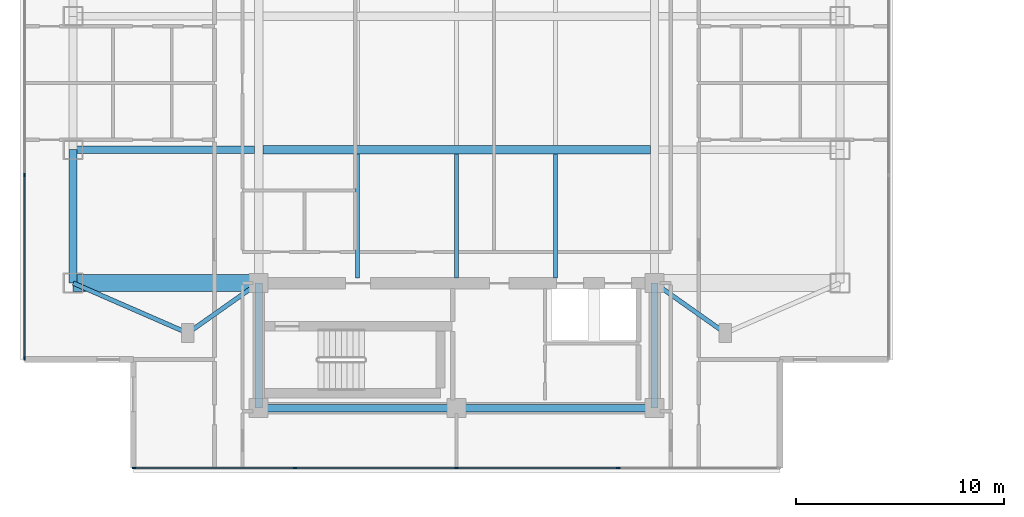
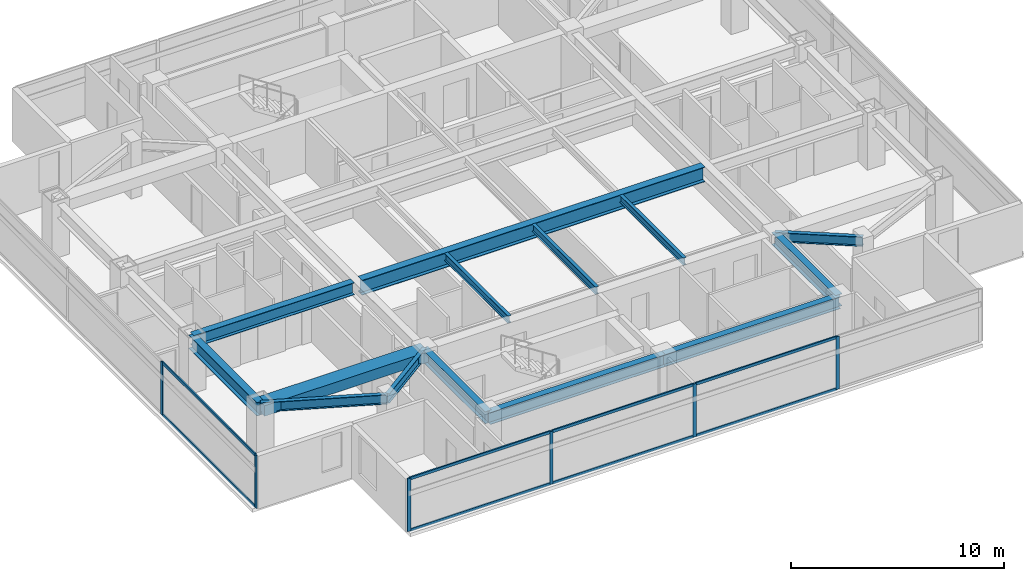
# One storey, part 2 of 24: 14 beams, 14 members, 2 elements without a shape of their own.
"""IFC4 building model written with IfcOpenShell, lengths in metres."""

from ifc_helpers import new_model, si_unit, direction, frame, origin, origin_2d, place, context, subcontext, project, spatial, rectangle, i_section, extrude, material, material_profile, profile_set, type_object, element, aggregate, save


model = new_model("IFC4")

# Units and contexts
model_context = context("Model", 3, precision=1e-05, world=origin(), true_north=direction((0.0, 1.0)))
body_context = subcontext(model_context, "Body", "Model", "MODEL_VIEW")
ifc_project = project(units=[si_unit("LENGTHUNIT", "METRE"), si_unit("AREAUNIT", "SQUARE_METRE"), si_unit("VOLUMEUNIT", "CUBIC_METRE"), si_unit("PLANEANGLEUNIT", "RADIAN"), si_unit("MASSUNIT", "GRAM", prefix="KILO")], contexts=[model_context])

# Site, building, storey
site_placement = place(None, origin())
site = spatial("IfcSite", under=ifc_project, at=site_placement, CompositionType="ELEMENT")
building_placement = place(site_placement, origin())
building = spatial("IfcBuilding", under=site, at=building_placement, Name="Mirazonda Arch Towers", CompositionType="ELEMENT")
storey_placement = place(building_placement, frame((0.0, 0.0, 199.89990234375)))
storey = spatial("IfcBuildingStorey", under=building, at=storey_placement, Name="L57", CompositionType="ELEMENT", Elevation=199.89990234375)

# Beams
ifc_material_1 = material(Name="Steel ASTM A992 Grade 50", Category="steel")
ifc_material_profile_1 = material_profile(ifc_material_1, i_section(OverallWidth=0.381103515625, OverallDepth=0.77294921875, WebThickness=0.0166015625, FlangeThickness=0.027099609375, at=origin_2d()), Name="W30X173")
ifc_profile_set_1 = profile_set([ifc_material_profile_1], Name="Steel ASTM A992 Grade 50")
beam_type_1 = type_object("IfcBeamType", Name="BM-EXT-W30X173", PredefinedType="USERDEFINED", material=ifc_profile_set_1)
beam_1_placement = place(storey_placement, frame((2.10009765625, 18.39990234375, 2.66357421875), z_axis=(0.0, 1.0, 0.0), x_axis=(-1.0, 0.0, 0.0)))
element("IfcBeam", 1, at=beam_1_placement, inside=storey, type_object=beam_type_1, Name="L57 Floor Beam BM-T1-L57-NS-W-18", ObjectType="GIRDER", PredefinedType="USERDEFINED", context=body_context, shape_type="SweptSolid", body=[
    extrude(i_section(OverallWidth=0.381103515625, OverallDepth=0.77294921875, WebThickness=0.0166015625, FlangeThickness=0.027099609375, at=origin_2d()), origin(), (0.0, 0.0, 1.0), 6.400146484375),
])
ifc_material_profile_2 = material_profile(ifc_material_1, i_section(OverallWidth=0.180908203125, OverallDepth=0.4169921875, WebThickness=0.010986328125, FlangeThickness=0.018310546875, at=origin_2d()), Name="W16X57")
ifc_profile_set_2 = profile_set([ifc_material_profile_2], Name="Steel ASTM A992 Grade 50")
beam_type_2 = type_object("IfcBeamType", Name="BM-INT-W16X57", PredefinedType="JOIST", material=ifc_profile_set_2)
for number, where, z_axis, x_axis, name in (
    (2, (15.75, 18.639892578125, 2.841552734375), (0.0, 1.0, 0.0), (-1.0, 0.0, 0.0), "L57 Floor Beam BM-T1-L57-J-157-18"),
    (3, (20.5, 18.639892578125, 2.841552734375), (0.0, 1.0, 0.0), (-1.0, 0.0, 0.0), "L57 Floor Beam BM-T1-L57-J-205-18"),
    (4, (25.25, 18.639892578125, 2.841552734375), (0.0, 1.0, 0.0), (-1.0, 0.0, 0.0), "L57 Floor Beam BM-T1-L57-J-252-18"),
):
    element("IfcBeam", number, at=place(storey_placement, frame(where, z_axis=z_axis, x_axis=x_axis)), inside=storey, type_object=beam_type_2, Name=name, PredefinedType="JOIST", context=body_context, shape_type="SweptSolid", body=[
        extrude(i_section(OverallWidth=0.180908203125, OverallDepth=0.4169921875, WebThickness=0.010986328125, FlangeThickness=0.018310546875, at=origin_2d()), origin(), (0.0, 0.0, 1.0), 5.964111328125),
    ])
ifc_material_profile_3 = material_profile(ifc_material_1, i_section(OverallWidth=0.214111328125, OverallDepth=0.549072265625, WebThickness=0.0146484375, FlangeThickness=0.023681640625, at=origin_2d()), Name="W21X93")
ifc_profile_set_3 = profile_set([ifc_material_profile_3], Name="Steel ASTM A992 Grade 50")
beam_type_3 = type_object("IfcBeamType", Name="BM-INT-W21X93", PredefinedType="BEAM", material=ifc_profile_set_3)
beam_2_placement = place(storey_placement, frame((7.60009765625, 16.0, 2.775634765625), z_axis=(0.816971114901, 0.576678591087, 0.0), x_axis=(-0.576678591087, 0.816971114901, 0.0)))
element("IfcBeam", 5, at=beam_2_placement, inside=storey, type_object=beam_type_3, Name="L57 Floor Beam BM-T1-L57-PL-SW1", PredefinedType="BEAM", context=body_context, shape_type="SweptSolid", body=[
    extrude(i_section(OverallWidth=0.214111328125, OverallDepth=0.549072265625, WebThickness=0.0146484375, FlangeThickness=0.023681640625, at=origin_2d()), origin(), (0.0, 0.0, 1.0), 4.16162109375),
])
beam_3_placement = place(storey_placement, frame((7.60009765625, 16.0, 2.775634765625), z_axis=(-0.916545343703, 0.399930785183, 0.0), x_axis=(-0.399930785183, -0.916545343703, 0.0)))
element("IfcBeam", 6, at=beam_3_placement, inside=storey, type_object=beam_type_3, Name="L57 Floor Beam BM-T1-L57-PL-SW2", PredefinedType="BEAM", context=body_context, shape_type="SweptSolid", body=[
    extrude(i_section(OverallWidth=0.214111328125, OverallDepth=0.549072265625, WebThickness=0.0146484375, FlangeThickness=0.023681640625, at=origin_2d()), origin(), (0.0, 0.0, 1.0), 6.000732421875),
])
beam_4_placement = place(storey_placement, frame((33.39990234375, 16.0, 2.775634765625), z_axis=(-0.816971114901, 0.576678591087, 0.0), x_axis=(-0.576678591087, -0.816971114901, 0.0)))
element("IfcBeam", 7, at=beam_4_placement, inside=storey, type_object=beam_type_3, Name="L57 Floor Beam BM-T1-L57-PL-SE1", PredefinedType="BEAM", context=body_context, shape_type="SweptSolid", body=[
    extrude(i_section(OverallWidth=0.214111328125, OverallDepth=0.549072265625, WebThickness=0.0146484375, FlangeThickness=0.023681640625, at=origin_2d()), origin(), (0.0, 0.0, 1.0), 4.16162109375),
])
ifc_material_profile_4 = material_profile(ifc_material_1, i_section(OverallWidth=0.35498046875, OverallDepth=0.696044921875, WebThickness=0.015380859375, FlangeThickness=0.02490234375, at=origin_2d()), Name="W27X146")
ifc_profile_set_4 = profile_set([ifc_material_profile_4], Name="Steel ASTM A992 Grade 50")
beam_type_4 = type_object("IfcBeamType", Name="BM-INT-W27X146", PredefinedType="BEAM", material=ifc_profile_set_4)
beam_5_placement = place(storey_placement, frame((2.10009765625, 24.800048828125, 2.7021484375), z_axis=(1.0, 0.0, 0.0), x_axis=(0.0, 1.0, 0.0)))
element("IfcBeam", 8, at=beam_5_placement, inside=storey, type_object=beam_type_4, Name="L57 Floor Beam BM-T1-L57-GW2", PredefinedType="BEAM", context=body_context, shape_type="SweptSolid", body=[
    extrude(i_section(OverallWidth=0.35498046875, OverallDepth=0.696044921875, WebThickness=0.015380859375, FlangeThickness=0.02490234375, at=origin_2d()), origin(), (0.0, 0.0, 1.0), 8.699951171875),
])
for number, where, z_axis, x_axis, name in (
    (9, (11.0, 12.39990234375, 2.7021484375), (1.0, 0.0, 0.0), (0.0, 1.0, 0.0), "L57 Floor Beam BM-T1-L57-CS1"),
    (10, (20.5, 12.39990234375, 2.7021484375), (1.0, 0.0, 0.0), (0.0, 1.0, 0.0), "L57 Floor Beam BM-T1-L57-CS2"),
):
    element("IfcBeam", number, at=place(storey_placement, frame(where, z_axis=z_axis, x_axis=x_axis)), inside=storey, type_object=beam_type_4, Name=name, PredefinedType="BEAM", context=body_context, shape_type="SweptSolid", body=[
        extrude(i_section(OverallWidth=0.35498046875, OverallDepth=0.696044921875, WebThickness=0.015380859375, FlangeThickness=0.02490234375, at=origin_2d()), origin(), (0.0, 0.0, 1.0), 9.5),
    ])
for number, where, z_axis, x_axis, name in (
    (11, (11.0, 12.39990234375, 2.7021484375), (0.0, 1.0, 0.0), (-1.0, 0.0, 0.0), "L57 Floor Beam BM-T1-L57-CSW"),
    (12, (30.0, 12.39990234375, 2.7021484375), (0.0, 1.0, 0.0), (-1.0, 0.0, 0.0), "L57 Floor Beam BM-T1-L57-CSE"),
):
    element("IfcBeam", number, at=place(storey_placement, frame(where, z_axis=z_axis, x_axis=x_axis)), inside=storey, type_object=beam_type_4, Name=name, PredefinedType="BEAM", context=body_context, shape_type="SweptSolid", body=[
        extrude(i_section(OverallWidth=0.35498046875, OverallDepth=0.696044921875, WebThickness=0.015380859375, FlangeThickness=0.02490234375, at=origin_2d()), origin(), (0.0, 0.0, 1.0), 6.0),
    ])
ifc_material_profile_5 = material_profile(ifc_material_1, i_section(OverallWidth=0.39990234375, OverallDepth=0.85595703125, WebThickness=0.018310546875, FlangeThickness=0.029296875, at=origin_2d()), Name="W33X201")
ifc_profile_set_5 = profile_set([ifc_material_profile_5], Name="Steel ASTM A992 Grade 50")
beam_type_5 = type_object("IfcBeamType", Name="BM-INT-W33X201", PredefinedType="USERDEFINED", material=ifc_profile_set_5)
beam_6_placement = place(storey_placement, frame((11.199951171875, 24.800048828125, 2.6220703125), z_axis=(1.0, 0.0, 0.0), x_axis=(0.0, 1.0, 0.0)))
element("IfcBeam", 13, at=beam_6_placement, inside=storey, type_object=beam_type_5, Name="L57 Floor Beam BM-T1-L57-GC2", ObjectType="GIRDER", PredefinedType="USERDEFINED", context=body_context, shape_type="SweptSolid", body=[
    extrude(i_section(OverallWidth=0.39990234375, OverallDepth=0.85595703125, WebThickness=0.018310546875, FlangeThickness=0.029296875, at=origin_2d()), origin(), (0.0, 0.0, 1.0), 18.60009765625),
])
ifc_material_2 = material(Name="Concrete C60/75", Category="concrete")
ifc_material_profile_6 = material_profile(ifc_material_2, rectangle(XDim=0.800048828125, YDim=0.60009765625, at=origin_2d()), Name="RCCB800x600")
ifc_profile_set_6 = profile_set([ifc_material_profile_6], Name="Concrete C60/75")
beam_type_6 = type_object("IfcBeamType", Name="CB-INT-RCCB800x600", PredefinedType="SPANDREL", material=ifc_profile_set_6)
beam_7_placement = place(storey_placement, frame((2.10009765625, 18.39990234375, 2.75), z_axis=(1.0, 0.0, 0.0), x_axis=(0.0, 1.0, 0.0)))
element("IfcBeam", 14, at=beam_7_placement, inside=storey, type_object=beam_type_6, Name="L57 Floor Beam CBC-T1-L57-SW", PredefinedType="SPANDREL", context=body_context, shape_type="SweptSolid", body=[
    extrude(rectangle(XDim=0.800048828125, YDim=0.60009765625, at=origin_2d()), origin(), (0.0, 0.0, 1.0), 8.89990234375),
])

# Curtain wall, members
ifc_material_3 = material(Name="Anodised Aluminium and Low-E Glass", Category="aluminium")
curtain_wall_type = type_object("IfcCurtainWallType", Name="CW-RES-UNIT", PredefinedType="NOTDEFINED", material=ifc_material_3)
curtain_wall_1_placement = place(storey_placement, origin())
curtain_wall_1 = element("IfcCurtainWall", 15, at=curtain_wall_1_placement, inside=storey, type_object=curtain_wall_type, Name="L57 T1 S Facade CW-L57-T1-S", PredefinedType="NOTDEFINED")
ifc_material_4 = material(Name="Anodised Aluminium Alloy", Category="aluminium")
ifc_material_profile_7 = material_profile(ifc_material_4, rectangle(XDim=0.074951171875, YDim=0.175048828125, at=origin_2d()), Name="ALU-MULL-75x175")
ifc_profile_set_7 = profile_set([ifc_material_profile_7], Name="Anodised Aluminium Alloy")
member_type_1 = type_object("IfcMemberType", Name="MULL-CW-RES-UNIT", PredefinedType="MULLION", material=ifc_profile_set_7)
member_1_placement = place(storey_placement, frame((28.257568359375, 9.52001953125, 0.0), z_axis=(0.0, 0.0, 1.0), x_axis=(0.0, -1.0, 0.0)))
member_1 = element("IfcMember", 16, at=member_1_placement, type_object=member_type_1, Name="CW-104 mullion 2", PredefinedType="MULLION", context=body_context, shape_type="SweptSolid", body=[
    extrude(rectangle(XDim=0.074951171875, YDim=0.175048828125, at=origin_2d()), origin(), (0.0, 0.0, 1.0), 3.030029296875),
])
member_2_placement = place(storey_placement, frame((20.5, 9.52001953125, 0.0), z_axis=(0.0, 0.0, 1.0), x_axis=(0.0, -1.0, 0.0)))
member_2 = element("IfcMember", 17, at=member_2_placement, type_object=member_type_1, Name="CW-104 mullion 3", PredefinedType="MULLION", context=body_context, shape_type="SweptSolid", body=[
    extrude(rectangle(XDim=0.074951171875, YDim=0.175048828125, at=origin_2d()), origin(), (0.0, 0.0, 1.0), 3.030029296875),
])
member_3_placement = place(storey_placement, frame((12.742431640625, 9.52001953125, 0.0), z_axis=(0.0, 0.0, 1.0), x_axis=(0.0, -1.0, 0.0)))
member_3 = element("IfcMember", 18, at=member_3_placement, type_object=member_type_1, Name="CW-104 mullion 4", PredefinedType="MULLION", context=body_context, shape_type="SweptSolid", body=[
    extrude(rectangle(XDim=0.074951171875, YDim=0.175048828125, at=origin_2d()), origin(), (0.0, 0.0, 1.0), 3.030029296875),
])
member_4_placement = place(storey_placement, frame((5.0224609375, 9.52001953125, 0.0), z_axis=(0.0, 0.0, 1.0), x_axis=(0.0, -1.0, 0.0)))
member_4 = element("IfcMember", 19, at=member_4_placement, type_object=member_type_1, Name="CW-104 mullion 5", PredefinedType="MULLION", context=body_context, shape_type="SweptSolid", body=[
    extrude(rectangle(XDim=0.074951171875, YDim=0.175048828125, at=origin_2d()), origin(), (0.0, 0.0, 1.0), 3.030029296875),
])

curtain_wall_2_placement = place(storey_placement, origin())
curtain_wall_2 = element("IfcCurtainWall", 20, at=curtain_wall_2_placement, inside=storey, type_object=curtain_wall_type, Name="L57 T1 W Facade CW-L57-T1-W", PredefinedType="NOTDEFINED")
member_5_placement = place(storey_placement, frame((-0.22998046875, 23.578369140625, 0.0), z_axis=(0.0, 0.0, 1.0), x_axis=(1.0, 0.0, 0.0)))
member_5 = element("IfcMember", 21, at=member_5_placement, type_object=member_type_1, Name="CW-104 mullion 3", PredefinedType="MULLION", context=body_context, shape_type="SweptSolid", body=[
    extrude(rectangle(XDim=0.074951171875, YDim=0.175048828125, at=origin_2d()), origin(), (0.0, 0.0, 1.0), 3.030029296875),
])
member_6_placement = place(storey_placement, frame((-0.22998046875, 14.7724609375, 0.0), z_axis=(0.0, 0.0, 1.0), x_axis=(1.0, 0.0, 0.0)))
member_6 = element("IfcMember", 22, at=member_6_placement, type_object=member_type_1, Name="CW-104 mullion 4", PredefinedType="MULLION", context=body_context, shape_type="SweptSolid", body=[
    extrude(rectangle(XDim=0.074951171875, YDim=0.175048828125, at=origin_2d()), origin(), (0.0, 0.0, 1.0), 3.030029296875),
])

# Member
ifc_material_profile_8 = material_profile(ifc_material_4, rectangle(XDim=0.074951171875, YDim=0.155029296875, at=origin_2d()), Name="ALU-TRAN-75x155")
ifc_profile_set_8 = profile_set([ifc_material_profile_8], Name="Anodised Aluminium Alloy")
member_type_2 = type_object("IfcMemberType", Name="TRAN-CW-RES-UNIT", PredefinedType="USERDEFINED", material=ifc_profile_set_8)
member_7_placement = place(storey_placement, frame((28.219970703125, 9.52001953125, 0.03759765625), z_axis=(-1.0, 0.0, 0.0), x_axis=(0.0, -1.0, 0.0)))
member_7 = element("IfcMember", 23, at=member_7_placement, type_object=member_type_2, Name="CW-104 transom 2.1", ObjectType="TRANSOM", PredefinedType="USERDEFINED", context=body_context, shape_type="SweptSolid", body=[
    extrude(rectangle(XDim=0.074951171875, YDim=0.155029296875, at=origin_2d()), origin(), (0.0, 0.0, 1.0), 7.682373046875),
])

member_8_placement = place(storey_placement, frame((28.219970703125, 9.52001953125, 2.99267578125), z_axis=(-1.0, 0.0, 0.0), x_axis=(0.0, -1.0, 0.0)))
member_8 = element("IfcMember", 24, at=member_8_placement, type_object=member_type_2, Name="CW-104 transom 2.2", ObjectType="TRANSOM", PredefinedType="USERDEFINED", context=body_context, shape_type="SweptSolid", body=[
    extrude(rectangle(XDim=0.074951171875, YDim=0.155029296875, at=origin_2d()), origin(), (0.0, 0.0, 1.0), 7.682373046875),
])

member_9_placement = place(storey_placement, frame((20.46240234375, 9.52001953125, 0.03759765625), z_axis=(-1.0, 0.0, 0.0), x_axis=(0.0, -1.0, 0.0)))
member_9 = element("IfcMember", 25, at=member_9_placement, type_object=member_type_2, Name="CW-104 transom 3.1", ObjectType="TRANSOM", PredefinedType="USERDEFINED", context=body_context, shape_type="SweptSolid", body=[
    extrude(rectangle(XDim=0.074951171875, YDim=0.155029296875, at=origin_2d()), origin(), (0.0, 0.0, 1.0), 7.682373046875),
])

member_10_placement = place(storey_placement, frame((20.46240234375, 9.52001953125, 2.99267578125), z_axis=(-1.0, 0.0, 0.0), x_axis=(0.0, -1.0, 0.0)))
member_10 = element("IfcMember", 26, at=member_10_placement, type_object=member_type_2, Name="CW-104 transom 3.2", ObjectType="TRANSOM", PredefinedType="USERDEFINED", context=body_context, shape_type="SweptSolid", body=[
    extrude(rectangle(XDim=0.074951171875, YDim=0.155029296875, at=origin_2d()), origin(), (0.0, 0.0, 1.0), 7.682373046875),
])

member_11_placement = place(storey_placement, frame((12.705078125, 9.52001953125, 0.03759765625), z_axis=(-1.0, 0.0, 0.0), x_axis=(0.0, -1.0, 0.0)))
member_11 = element("IfcMember", 27, at=member_11_placement, type_object=member_type_2, Name="CW-104 transom 4.1", ObjectType="TRANSOM", PredefinedType="USERDEFINED", context=body_context, shape_type="SweptSolid", body=[
    extrude(rectangle(XDim=0.074951171875, YDim=0.155029296875, at=origin_2d()), origin(), (0.0, 0.0, 1.0), 7.64501953125),
])

member_12_placement = place(storey_placement, frame((12.705078125, 9.52001953125, 2.99267578125), z_axis=(-1.0, 0.0, 0.0), x_axis=(0.0, -1.0, 0.0)))
member_12 = element("IfcMember", 28, at=member_12_placement, type_object=member_type_2, Name="CW-104 transom 4.2", ObjectType="TRANSOM", PredefinedType="USERDEFINED", context=body_context, shape_type="SweptSolid", body=[
    extrude(rectangle(XDim=0.074951171875, YDim=0.155029296875, at=origin_2d()), origin(), (0.0, 0.0, 1.0), 7.64501953125),
])

aggregate(curtain_wall_1, [member_1, member_2, member_3, member_4, member_7, member_8, member_9, member_10, member_11, member_12])

member_13_placement = place(storey_placement, frame((-0.22998046875, 23.540771484375, 0.03759765625), z_axis=(0.0, -1.0, 0.0), x_axis=(1.0, 0.0, 0.0)))
member_13 = element("IfcMember", 29, at=member_13_placement, type_object=member_type_2, Name="CW-104 transom 3.1", ObjectType="TRANSOM", PredefinedType="USERDEFINED", context=body_context, shape_type="SweptSolid", body=[
    extrude(rectangle(XDim=0.074951171875, YDim=0.155029296875, at=origin_2d()), origin(), (0.0, 0.0, 1.0), 8.730712890625),
])

member_14_placement = place(storey_placement, frame((-0.22998046875, 23.540771484375, 2.99267578125), z_axis=(0.0, -1.0, 0.0), x_axis=(1.0, 0.0, 0.0)))
member_14 = element("IfcMember", 30, at=member_14_placement, type_object=member_type_2, Name="CW-104 transom 3.2", ObjectType="TRANSOM", PredefinedType="USERDEFINED", context=body_context, shape_type="SweptSolid", body=[
    extrude(rectangle(XDim=0.074951171875, YDim=0.155029296875, at=origin_2d()), origin(), (0.0, 0.0, 1.0), 8.730712890625),
])

aggregate(curtain_wall_2, [member_5, member_6, member_13, member_14])

save(model, "model.ifc")
